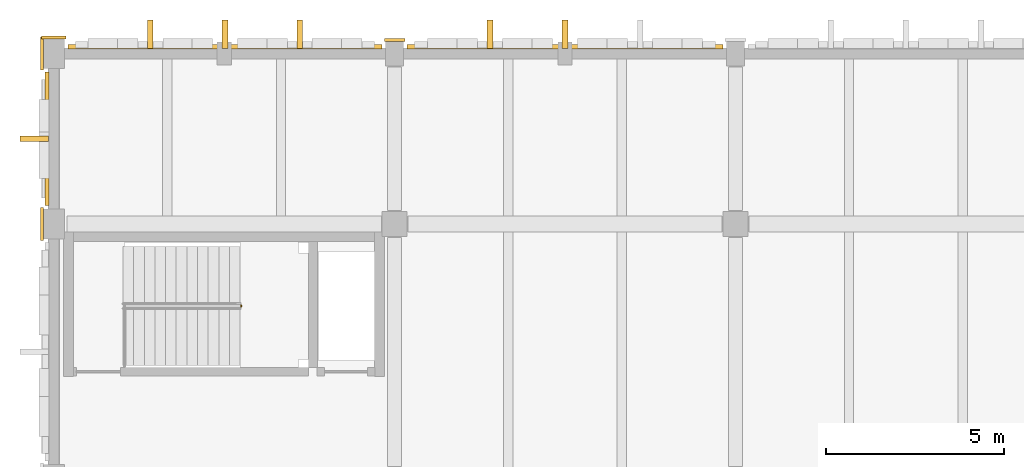
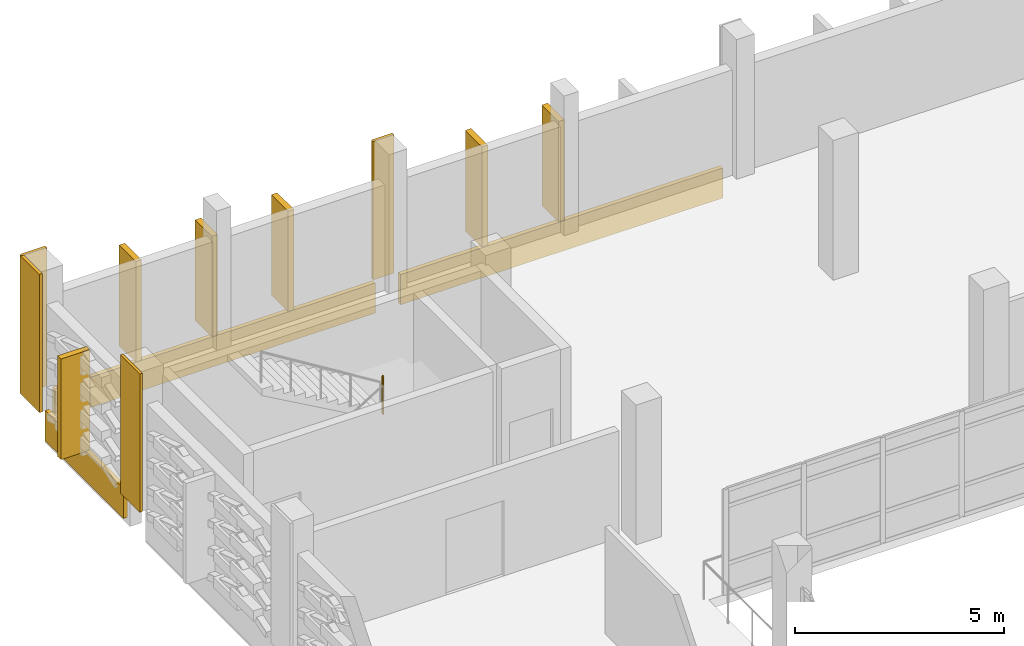
# One storey, part 129 of 134: 13 coverings, 1 railing.
"""IFC4 building model written with IfcOpenShell, lengths in metres."""

from ifc_helpers import new_model, si_unit, direction, frame, origin, origin_2d, place, context, subcontext, project, spatial, rectangle, circle, extrude, material, layer, layer_set, type_object, element, save


model = new_model("IFC4")

# Units and contexts
model_context = context("Model", 3, precision=1e-05, world=origin(), true_north=direction((0.0, 1.0)))
body_context = subcontext(model_context, "Body", "Model", "MODEL_VIEW")
ifc_project = project(units=[si_unit("LENGTHUNIT", "METRE"), si_unit("AREAUNIT", "SQUARE_METRE"), si_unit("VOLUMEUNIT", "CUBIC_METRE"), si_unit("PLANEANGLEUNIT", "RADIAN"), si_unit("MASSUNIT", "GRAM", prefix="KILO")], contexts=[model_context])

# Site, building, storey
site_placement = place(None, origin())
site = spatial("IfcSite", under=ifc_project, at=site_placement, CompositionType="ELEMENT")
building_placement = place(site_placement, origin())
building = spatial("IfcBuilding", under=site, at=building_placement, Name="Asteropetra Specialist Clinic", CompositionType="ELEMENT")
storey_placement = place(building_placement, frame((0.0, 0.0, 8.5)))
storey = spatial("IfcBuildingStorey", under=building, at=storey_placement, Name="L02", CompositionType="ELEMENT", Elevation=8.5)

# Coverings
ifc_material_1 = material(Name="Chevron terracotta mid", Category="masonry")
ifc_layer_1 = layer(ifc_material_1, 0.1201171875)
ifc_layer_set_1 = layer_set([ifc_layer_1], Name="Chevron terracotta mid")
covering_type_1 = type_object("IfcCoveringType", Name="CLD-TER-MID", PredefinedType="CLADDING", material=ifc_layer_set_1)
covering_1_placement = place(storey_placement, frame((4.824951171875, 110.590087890625, -0.800048828125), z_axis=(0.0, 0.0, 1.0), x_axis=(1.0, 0.0, 0.0)))
element("IfcCovering", 1, at=covering_1_placement, inside=storey, type_object=covering_type_1, Name="Chevron Spandrel Band CV-1425", PredefinedType="CLADDING", context=body_context, shape_type="SweptSolid", body=[
    extrude(rectangle(XDim=8.85009765625, YDim=0.1201171875, at=origin_2d()), origin(), (0.0, 0.0, 1.0), 0.8798828125),
])
covering_2_placement = place(storey_placement, frame((14.39990234375, 110.590087890625, -0.800048828125), z_axis=(0.0, 0.0, 1.0), x_axis=(1.0, 0.0, 0.0)))
element("IfcCovering", 2, at=covering_2_placement, inside=storey, type_object=covering_type_1, Name="Chevron Spandrel Band CV-1426", PredefinedType="CLADDING", context=body_context, shape_type="SweptSolid", body=[
    extrude(rectangle(XDim=8.89990234375, YDim=0.1201171875, at=origin_2d()), origin(), (0.0, 0.0, 1.0), 0.8798828125),
])
covering_3_placement = place(storey_placement, frame((-0.18994140625, 108.0, -0.800048828125), z_axis=(0.0, 0.0, 1.0), x_axis=(1.0, 0.0, 0.0)))
element("IfcCovering", 3, at=covering_3_placement, inside=storey, type_object=covering_type_1, Name="Chevron Spandrel Band CV-1442", PredefinedType="CLADDING", context=body_context, shape_type="SweptSolid", body=[
    extrude(rectangle(XDim=0.1201171875, YDim=3.75, at=origin_2d()), origin(), (0.0, 0.0, 1.0), 0.8798828125),
])
ifc_material_2 = material(Name="Pentelic marble ashlar", Category="masonry")
ifc_layer_2 = layer(ifc_material_2, 0.159912109375)
ifc_layer_set_2 = layer_set([ifc_layer_2], Name="Pentelic marble ashlar")
covering_type_2 = type_object("IfcCoveringType", Name="CRN-ENTAB-600", PredefinedType="MOLDING", material=ifc_layer_set_2)
covering_4_placement = place(storey_placement, frame((-0.33203125, 105.60009765625, 0.02001953125), z_axis=(0.0, 0.0, 1.0), x_axis=(1.0, 0.0, 0.0)))
element("IfcCovering", 4, at=covering_4_placement, inside=storey, type_object=covering_type_2, Name="Neoclassical Pilaster Facing CM-0655", PredefinedType="MOLDING", context=body_context, shape_type="SweptSolid", body=[
    extrude(rectangle(XDim=0.080078125, YDim=0.929931640625, at=origin_2d()), origin(), (0.0, 0.0, 1.0), 4.0400390625),
])
covering_5_placement = place(storey_placement, frame((0.0, 110.85693359375, 0.02001953125), z_axis=(0.0, 0.0, 1.0), x_axis=(1.0, 0.0, 0.0)))
element("IfcCovering", 5, at=covering_5_placement, inside=storey, type_object=covering_type_2, Name="Neoclassical Pilaster Facing CM-0656", PredefinedType="MOLDING", context=body_context, shape_type="SweptSolid", body=[
    extrude(rectangle(XDim=0.679931640625, YDim=0.080078125, at=origin_2d()), origin(), (0.0, 0.0, 1.0), 4.0400390625),
])
covering_6_placement = place(storey_placement, frame((-0.33203125, 110.39990234375, 0.02001953125), z_axis=(0.0, 0.0, 1.0), x_axis=(1.0, 0.0, 0.0)))
element("IfcCovering", 6, at=covering_6_placement, inside=storey, type_object=covering_type_2, Name="Neoclassical Pilaster Facing CM-0657", PredefinedType="MOLDING", context=body_context, shape_type="SweptSolid", body=[
    extrude(rectangle(XDim=0.080078125, YDim=0.929931640625, at=origin_2d()), origin(), (0.0, 0.0, 1.0), 4.0400390625),
])
covering_7_placement = place(storey_placement, frame((9.60009765625, 110.781982421875, 0.02001953125), z_axis=(0.0, 0.0, 1.0), x_axis=(1.0, 0.0, 0.0)))
element("IfcCovering", 7, at=covering_7_placement, inside=storey, type_object=covering_type_2, Name="Neoclassical Pilaster Facing CM-0659", PredefinedType="MOLDING", context=body_context, shape_type="SweptSolid", body=[
    extrude(rectangle(XDim=0.580078125, YDim=0.080078125, at=origin_2d()), origin(), (0.0, 0.0, 1.0), 4.0400390625),
])
ifc_material_3 = material(Name="Pentelic marble solar fin", Category="masonry")
ifc_layer_3 = layer(ifc_material_3, 0.080078125)
ifc_layer_set_3 = layer_set([ifc_layer_3], Name="Pentelic marble solar fin")
covering_type_3 = type_object("IfcCoveringType", Name="FIN-SOLAR-800", PredefinedType="MOLDING", material=ifc_layer_set_3)
for number, where, z_axis, x_axis, name in (
    (8, (6.927490234375, 110.945068359375, 0.070068359375), (0.0, 0.0, 1.0), (1.0, 0.0, 0.0), "Solar Shading Fin FN-0049"),
    (9, (4.824951171875, 110.945068359375, 0.070068359375), (0.0, 0.0, 1.0), (1.0, 0.0, 0.0), "Solar Shading Fin FN-0050"),
    (10, (2.722412109375, 110.945068359375, 0.070068359375), (0.0, 0.0, 1.0), (1.0, 0.0, 0.0), "Solar Shading Fin FN-0051"),
    (11, (14.39990234375, 110.945068359375, 0.070068359375), (0.0, 0.0, 1.0), (1.0, 0.0, 0.0), "Solar Shading Fin FN-0053"),
    (12, (12.284912109375, 110.945068359375, 0.070068359375), (0.0, 0.0, 1.0), (1.0, 0.0, 0.0), "Solar Shading Fin FN-0054"),
):
    element("IfcCovering", number, at=place(storey_placement, frame(where, z_axis=z_axis, x_axis=x_axis)), inside=storey, type_object=covering_type_3, Name=name, PredefinedType="MOLDING", context=body_context, shape_type="SweptSolid", body=[
        extrude(rectangle(XDim=0.159912109375, YDim=0.800048828125, at=origin_2d()), origin(), (0.0, 0.0, 1.0), 2.93994140625),
    ])
covering_8_placement = place(storey_placement, frame((-0.544921875, 108.0, 0.070068359375), z_axis=(0.0, 0.0, 1.0), x_axis=(1.0, 0.0, 0.0)))
element("IfcCovering", 13, at=covering_8_placement, inside=storey, type_object=covering_type_3, Name="Solar Shading Fin FN-0077", PredefinedType="MOLDING", context=body_context, shape_type="SweptSolid", body=[
    extrude(rectangle(XDim=0.800048828125, YDim=0.159912109375, at=origin_2d()), origin(), (0.0, 0.0, 1.0), 2.93994140625),
])

# Railing
ifc_material_4 = material(Name="Steel S355 and laminated glass guard", Category="steel")
railing_type = type_object("IfcRailingType", Name="GRD-INT-1120", PredefinedType="GUARDRAIL", material=ifc_material_4)
railing_placement = place(storey_placement, frame((5.280029296875, 103.27001953125, 2.0400390625)))
element("IfcRailing", 14, at=railing_placement, inside=storey, type_object=railing_type, Name="Landing Slot Guard ST01-L02", PredefinedType="GUARDRAIL", context=body_context, shape_type="SweptSolid", body=[
    extrude(circle(Radius=0.02392578125, at=origin_2d()), frame((0.0, 0.0, 1.09619140625), z_axis=(0.0, 1.0, 0.0), x_axis=(-1.0, 0.0, 0.0)), (0.0, 0.0, 1.0), 0.0400390625),
    extrude(circle(Radius=0.02099609375, at=origin_2d()), origin(), (0.0, 0.0, 1.0), 1.072021484375),
    extrude(circle(Radius=0.02099609375, at=origin_2d()), frame((0.0, 0.0400390625, 0.0)), (0.0, 0.0, 1.0), 1.072021484375),
])

save(model, "model.ifc")
